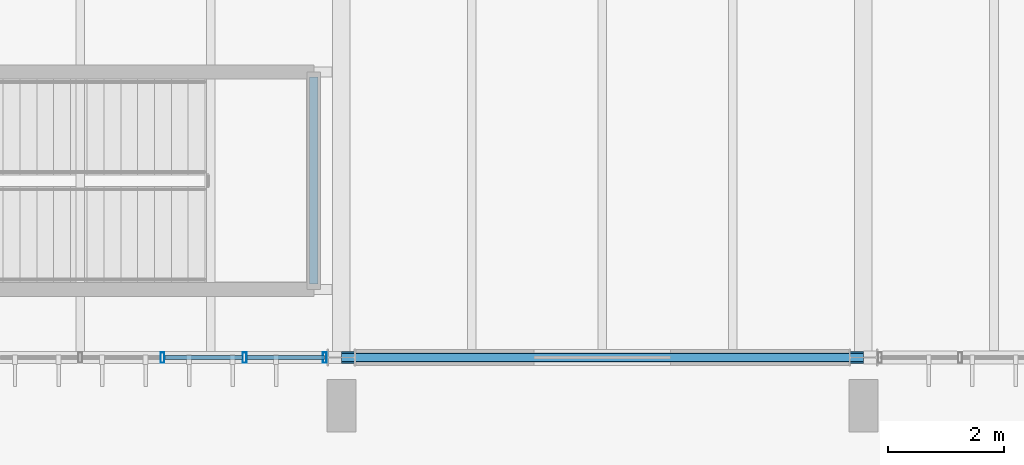
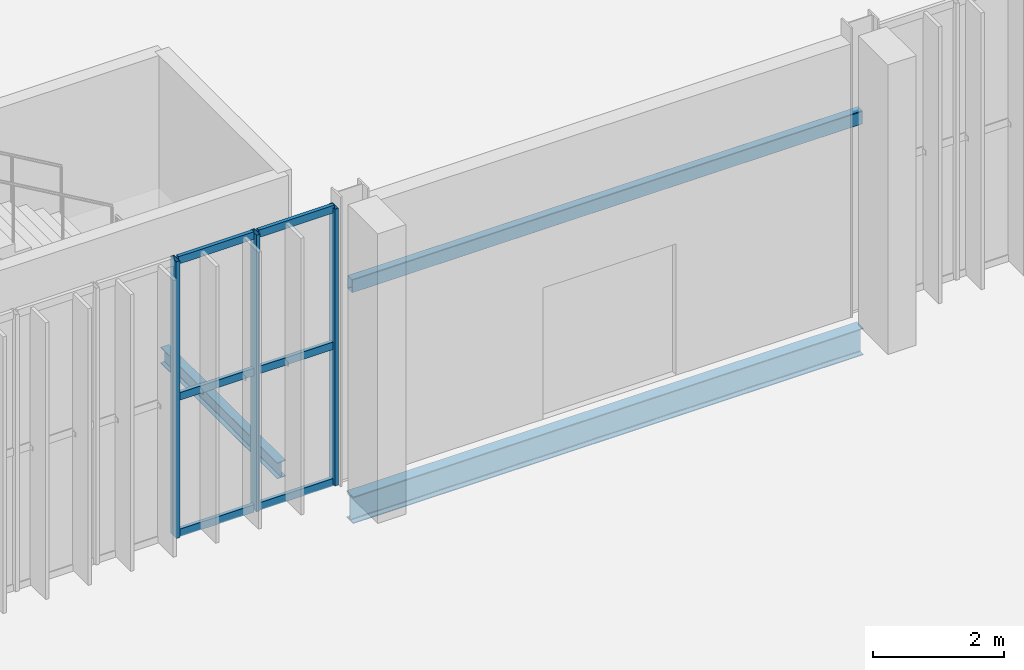
# One storey, part 43 of 158: 9 members, 3 beams, 1 element without a shape of its own.
"""IFC4 building model written with IfcOpenShell, lengths in metres."""

from ifc_helpers import new_model, si_unit, derived_unit, direction, frame, origin, origin_2d, place, context, subcontext, project, spatial, hollow_rectangle, i_section, extrude, material, material_profile, profile_set, type_object, element, aggregate, save


model = new_model("IFC4")

# Units and contexts
model_context = context("Model", 3, precision=1e-05, world=origin(), true_north=direction((0.0, 1.0)))
body_context = subcontext(model_context, "Body", "Model", "MODEL_VIEW")
ifc_project = project(units=[si_unit("LENGTHUNIT", "METRE"), si_unit("AREAUNIT", "SQUARE_METRE"), si_unit("VOLUMEUNIT", "CUBIC_METRE"), si_unit("PLANEANGLEUNIT", "RADIAN"), si_unit("MASSUNIT", "GRAM", prefix="KILO"), si_unit("THERMODYNAMICTEMPERATUREUNIT", "KELVIN"), si_unit("TIMEUNIT", "SECOND"), derived_unit("THERMALTRANSMITTANCEUNIT", [(si_unit("MASSUNIT", "GRAM", prefix="KILO"), 1), (si_unit("THERMODYNAMICTEMPERATUREUNIT", "KELVIN"), -1), (si_unit("TIMEUNIT", "SECOND"), -3)])], contexts=[model_context])

# Site, building, storey
site_placement = place(None, origin())
site = spatial("IfcSite", under=ifc_project, at=site_placement, CompositionType="ELEMENT")
building_placement = place(site_placement, origin())
building = spatial("IfcBuilding", under=site, at=building_placement, Name="Cambertide Market Hall", CompositionType="ELEMENT")
storey_placement = place(building_placement, origin())
storey = spatial("IfcBuildingStorey", under=building, at=storey_placement, Name="L01", CompositionType="ELEMENT", Elevation=0.0)

# Curtain wall, members
ifc_material_1 = material(Name="Marine Anodized Aluminium 6063-T6 AA25", Category="aluminium")
curtain_wall_type = type_object("IfcCurtainWallType", Name="Lantern Straight Lower Curtain Wall", PredefinedType="USERDEFINED", material=ifc_material_1)
curtain_wall_placement = place(storey_placement, origin())
curtain_wall = element("IfcCurtainWall", 1, at=curtain_wall_placement, inside=storey, type_object=curtain_wall_type, Name="Level 1 Curtain Wall CW-V1S-L01-5", ObjectType="UNITIZED CURTAIN WALL", PredefinedType="USERDEFINED")
ifc_material_2 = material(Name="Champagne Marine Anodized Aluminium 6063-T6 AA25", Category="aluminium")
ifc_material_profile_1 = material_profile(ifc_material_2, hollow_rectangle(XDim=0.06494140625, YDim=0.179931640625, WallThickness=0.00390625, at=origin_2d()), Name="ALU MULLION 65x180")
ifc_profile_set_1 = profile_set([ifc_material_profile_1], Name="Champagne Marine Anodized Aluminium 6063-T6 AA25")
member_type_1 = type_object("IfcMemberType", Name="Curtain Wall Mullion ALU MULLION 65x180", PredefinedType="MULLION", material=ifc_profile_set_1)
member_1_placement = place(storey_placement, frame((86.715087890625, 52.0, 0.0), z_axis=(0.0, 0.0, 1.0), x_axis=(-1.0, 0.0, 0.0)))
member_1 = element("IfcMember", 2, at=member_1_placement, type_object=member_type_1, Name="CW-V1S-L01-5 Mullion 1", PredefinedType="MULLION", context=body_context, shape_type="SweptSolid", body=[
    extrude(hollow_rectangle(XDim=0.06494140625, YDim=0.179931640625, WallThickness=0.00390625, at=origin_2d()), origin(), (0.0, 0.0, 1.0), 5.159912109375),
])
member_2_placement = place(storey_placement, frame((85.333251953125, 52.0, 0.0), z_axis=(0.0, 0.0, 1.0), x_axis=(-1.0, 0.0, 0.0)))
member_2 = element("IfcMember", 3, at=member_2_placement, type_object=member_type_1, Name="CW-V1S-L01-5 Mullion 2", PredefinedType="MULLION", context=body_context, shape_type="SweptSolid", body=[
    extrude(hollow_rectangle(XDim=0.06494140625, YDim=0.179931640625, WallThickness=0.00390625, at=origin_2d()), origin(), (0.0, 0.0, 1.0), 5.159912109375),
])
member_3_placement = place(storey_placement, frame((83.916748046875, 52.0, 0.0), z_axis=(0.0, 0.0, 1.0), x_axis=(-1.0, 0.0, 0.0)))
member_3 = element("IfcMember", 4, at=member_3_placement, type_object=member_type_1, Name="CW-V1S-L01-5 Mullion 3", PredefinedType="MULLION", context=body_context, shape_type="SweptSolid", body=[
    extrude(hollow_rectangle(XDim=0.06494140625, YDim=0.179931640625, WallThickness=0.00390625, at=origin_2d()), origin(), (0.0, 0.0, 1.0), 5.159912109375),
])
ifc_material_3 = material(Name="Champagne Marine Anodized Aluminium 6063-T6 AA25", Category="aluminium")
ifc_material_profile_2 = material_profile(ifc_material_3, hollow_rectangle(XDim=0.06494140625, YDim=0.139892578125, WallThickness=0.00341796875, at=origin_2d()), Name="ALU TRANSOM 65x140")
ifc_profile_set_2 = profile_set([ifc_material_profile_2], Name="Champagne Marine Anodized Aluminium 6063-T6 AA25")
member_type_2 = type_object("IfcMemberType", Name="Curtain Wall Transom ALU TRANSOM 65x140", PredefinedType="USERDEFINED", material=ifc_profile_set_2)
member_4_placement = place(storey_placement, frame((86.7099609375, 52.0, 0.034912109375), z_axis=(-1.0, 0.0, 0.0), x_axis=(0.0, -1.0, 0.0)))
member_4 = element("IfcMember", 5, at=member_4_placement, type_object=member_type_2, Name="CW-V1S-L01-5 Transom 1-1", ObjectType="TRANSOM", PredefinedType="USERDEFINED", context=body_context, shape_type="SweptSolid", body=[
    extrude(hollow_rectangle(XDim=0.06494140625, YDim=0.139892578125, WallThickness=0.00341796875, at=origin_2d()), origin(), (0.0, 0.0, 1.0), 1.336669921875),
])
member_5_placement = place(storey_placement, frame((85.293212890625, 52.0, 0.034912109375), z_axis=(-1.0, 0.0, 0.0), x_axis=(0.0, -1.0, 0.0)))
member_5 = element("IfcMember", 6, at=member_5_placement, type_object=member_type_2, Name="CW-V1S-L01-5 Transom 1-2", ObjectType="TRANSOM", PredefinedType="USERDEFINED", context=body_context, shape_type="SweptSolid", body=[
    extrude(hollow_rectangle(XDim=0.06494140625, YDim=0.139892578125, WallThickness=0.00341796875, at=origin_2d()), origin(), (0.0, 0.0, 1.0), 1.33642578125),
])
member_6_placement = place(storey_placement, frame((86.7099609375, 52.0, 2.580078125), z_axis=(-1.0, 0.0, 0.0), x_axis=(0.0, -1.0, 0.0)))
member_6 = element("IfcMember", 7, at=member_6_placement, type_object=member_type_2, Name="CW-V1S-L01-5 Transom 2-1", ObjectType="TRANSOM", PredefinedType="USERDEFINED", context=body_context, shape_type="SweptSolid", body=[
    extrude(hollow_rectangle(XDim=0.06494140625, YDim=0.139892578125, WallThickness=0.00341796875, at=origin_2d()), origin(), (0.0, 0.0, 1.0), 1.336669921875),
])
member_7_placement = place(storey_placement, frame((85.293212890625, 52.0, 2.580078125), z_axis=(-1.0, 0.0, 0.0), x_axis=(0.0, -1.0, 0.0)))
member_7 = element("IfcMember", 8, at=member_7_placement, type_object=member_type_2, Name="CW-V1S-L01-5 Transom 2-2", ObjectType="TRANSOM", PredefinedType="USERDEFINED", context=body_context, shape_type="SweptSolid", body=[
    extrude(hollow_rectangle(XDim=0.06494140625, YDim=0.139892578125, WallThickness=0.00341796875, at=origin_2d()), origin(), (0.0, 0.0, 1.0), 1.33642578125),
])
member_8_placement = place(storey_placement, frame((86.7099609375, 52.0, 5.125), z_axis=(-1.0, 0.0, 0.0), x_axis=(0.0, -1.0, 0.0)))
member_8 = element("IfcMember", 9, at=member_8_placement, type_object=member_type_2, Name="CW-V1S-L01-5 Transom 3-1", ObjectType="TRANSOM", PredefinedType="USERDEFINED", context=body_context, shape_type="SweptSolid", body=[
    extrude(hollow_rectangle(XDim=0.06494140625, YDim=0.139892578125, WallThickness=0.00341796875, at=origin_2d()), origin(), (0.0, 0.0, 1.0), 1.336669921875),
])
member_9_placement = place(storey_placement, frame((85.293212890625, 52.0, 5.125), z_axis=(-1.0, 0.0, 0.0), x_axis=(0.0, -1.0, 0.0)))
member_9 = element("IfcMember", 10, at=member_9_placement, type_object=member_type_2, Name="CW-V1S-L01-5 Transom 3-2", ObjectType="TRANSOM", PredefinedType="USERDEFINED", context=body_context, shape_type="SweptSolid", body=[
    extrude(hollow_rectangle(XDim=0.06494140625, YDim=0.139892578125, WallThickness=0.00341796875, at=origin_2d()), origin(), (0.0, 0.0, 1.0), 1.33642578125),
])
aggregate(curtain_wall, [member_1, member_2, member_3, member_4, member_5, member_6, member_7, member_8, member_9])

# Beams
ifc_material_4 = material(Name="Steel S275", Category="steel")
ifc_material_profile_3 = material_profile(ifc_material_4, hollow_rectangle(XDim=0.14990234375, YDim=0.25, WallThickness=0.008056640625, InnerFilletRadius=0.008056640625, OuterFilletRadius=0.01611328125, at=origin_2d()), Name="RHS 250x150x8")
ifc_profile_set_3 = profile_set([ifc_material_profile_3], Name="Steel S275")
beam_type_1 = type_object("IfcBeamType", Name="Exterior Structural Lintel RHS 250x150x8", PredefinedType="LINTEL", material=ifc_profile_set_3)
beam_1_placement = place(storey_placement, frame((87.0, 52.0, 3.60009765625), z_axis=(1.0, 0.0, 0.0), x_axis=(0.0, 1.0, 0.0)))
element("IfcBeam", 11, at=beam_1_placement, inside=storey, type_object=beam_type_1, Name="Level 1 South Portal Lintel 6", PredefinedType="LINTEL", context=body_context, shape_type="SweptSolid", body=[
    extrude(hollow_rectangle(XDim=0.14990234375, YDim=0.25, WallThickness=0.008056640625, InnerFilletRadius=0.008056640625, OuterFilletRadius=0.01611328125, at=origin_2d()), origin(), (0.0, 0.0, 1.0), 9.0),
])
ifc_material_5 = material(Name="Steel S355", Category="steel")
ifc_material_profile_4 = material_profile(ifc_material_5, i_section(OverallWidth=0.199951171875, OverallDepth=0.5, WebThickness=0.01025390625, FlangeThickness=0.01611328125, FilletRadius=0.02099609375, at=origin_2d()), Name="IPE 500")
ifc_profile_set_4 = profile_set([ifc_material_profile_4], Name="Steel S355")
beam_type_2 = type_object("IfcBeamType", Name="Steel Girder IPE 500", PredefinedType="BEAM", material=ifc_profile_set_4)
beam_2_placement = place(storey_placement, frame((87.0, 52.0, -0.56005859375), z_axis=(1.0, 0.0, 0.0), x_axis=(0.0, 1.0, 0.0)))
element("IfcBeam", 12, at=beam_2_placement, inside=storey, type_object=beam_type_2, Name="Level 1 Beam BM-V1S-L01-6", PredefinedType="BEAM", context=body_context, shape_type="SweptSolid", body=[
    extrude(i_section(OverallWidth=0.199951171875, OverallDepth=0.5, WebThickness=0.01025390625, FlangeThickness=0.01611328125, FilletRadius=0.02099609375, at=origin_2d()), origin(), (0.0, 0.0, 1.0), 9.0),
])
ifc_material_6 = material(Name="Steel S275", Category="steel")
ifc_material_profile_5 = material_profile(ifc_material_6, i_section(OverallWidth=0.14990234375, OverallDepth=0.300048828125, WebThickness=0.007080078125, FlangeThickness=0.0107421875, FilletRadius=0.014892578125, at=origin_2d()), Name="IPE 300")
ifc_profile_set_5 = profile_set([ifc_material_profile_5], Name="Steel S275")
beam_type_3 = type_object("IfcBeamType", Name="Steel Secondary Joist IPE 300", PredefinedType="JOIST", material=ifc_profile_set_5)
beam_3_placement = place(storey_placement, frame((86.52490234375, 53.26806640625, -0.4599609375), z_axis=(0.0, 1.0, 0.0), x_axis=(-1.0, 0.0, 0.0)))
element("IfcBeam", 13, at=beam_3_placement, inside=storey, type_object=beam_type_3, Name="Level 1 Joist BM-ST02B-SHWF", PredefinedType="JOIST", context=body_context, shape_type="SweptSolid", body=[
    extrude(i_section(OverallWidth=0.14990234375, OverallDepth=0.300048828125, WebThickness=0.007080078125, FlangeThickness=0.0107421875, FilletRadius=0.014892578125, at=origin_2d()), origin(), (0.0, 0.0, 1.0), 3.56396484375),
])

save(model, "model.ifc")
